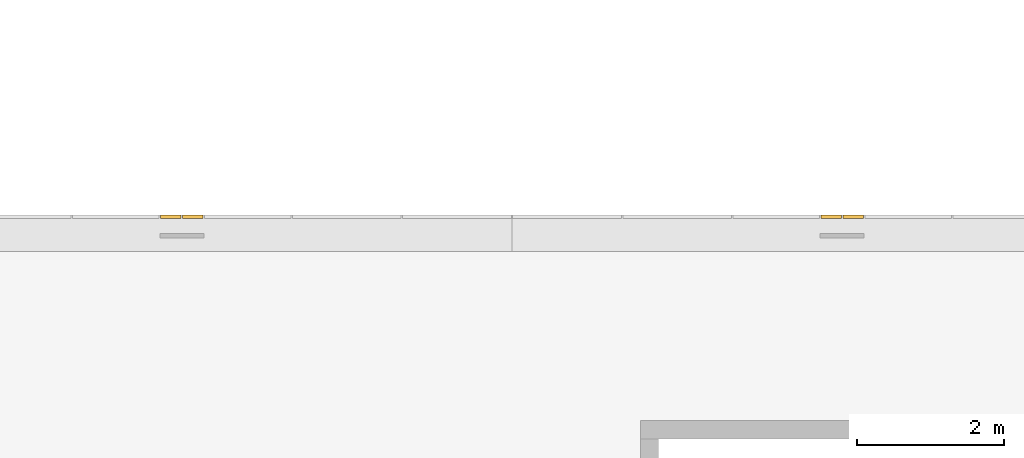
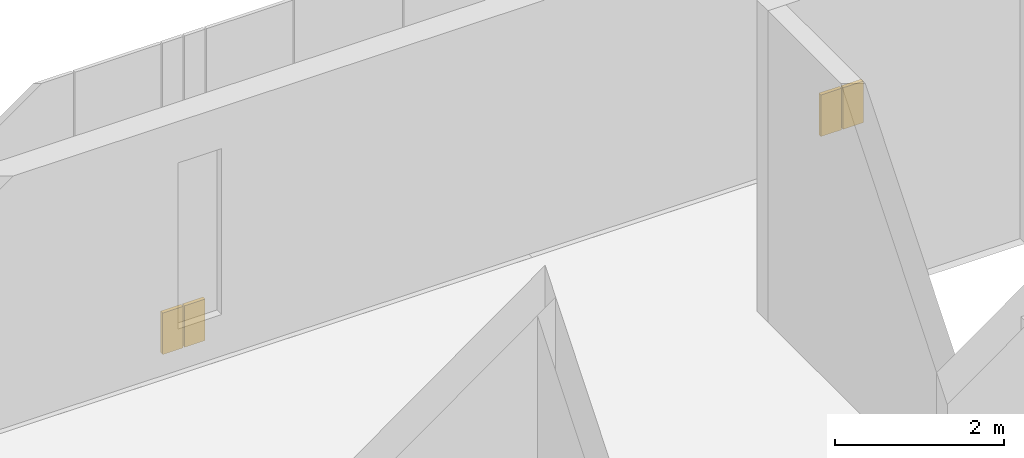
# One storey, part 105 of 106: 4 coverings.
"""IFC4 building model written with IfcOpenShell, lengths in metres."""

from ifc_helpers import new_model, si_unit, direction, frame, origin, origin_2d, place, context, subcontext, project, spatial, rectangle, extrude, material, layer, layer_set, type_object, element, save


model = new_model("IFC4")

# Units and contexts
model_context = context("Model", 3, precision=1e-05, world=origin(), true_north=direction((0.0, 1.0)))
body_context = subcontext(model_context, "Body", "Model", "MODEL_VIEW")
ifc_project = project(units=[si_unit("LENGTHUNIT", "METRE"), si_unit("AREAUNIT", "SQUARE_METRE"), si_unit("VOLUMEUNIT", "CUBIC_METRE"), si_unit("PLANEANGLEUNIT", "RADIAN"), si_unit("MASSUNIT", "GRAM", prefix="KILO")], contexts=[model_context])

# Site, building, storey
site_placement = place(None, origin())
site = spatial("IfcSite", under=ifc_project, at=site_placement, CompositionType="ELEMENT")
building_placement = place(site_placement, origin())
building = spatial("IfcBuilding", under=site, at=building_placement, Name="Guidao Yard Department Store", CompositionType="ELEMENT")
storey_placement = place(building_placement, frame((0.0, 0.0, 10.5)))
storey = spatial("IfcBuildingStorey", under=building, at=storey_placement, Name="L02", CompositionType="ELEMENT", Elevation=10.5)

# Coverings
ifc_material = material(Name="Anodised aluminium 6063-T5 cladding", Category="aluminium")
ifc_layer = layer(ifc_material, 0.050048828125)
ifc_layer_set = layer_set([ifc_layer], Name="Facade cladding CP1 anodised aluminium panel 6063")
covering_type = type_object("IfcCoveringType", Name="Facade cladding CP1 anodised aluminium panel 6063", PredefinedType="CLADDING", material=ifc_layer_set)
for number, where, z_axis, x_axis, name in (
    (1, (148.35009765625, 27.22509765625, 0.0), (0.0, 0.0, 1.0), (1.0, 0.0, 0.0), "Core face cladding"),
    (2, (148.64990234375, 27.22509765625, 0.0), (0.0, 0.0, 1.0), (1.0, 0.0, 0.0), "Core face cladding"),
    (3, (157.35009765625, 27.22509765625, 0.0), (0.0, 0.0, 1.0), (1.0, 0.0, 0.0), "Core face cladding"),
    (4, (157.64990234375, 27.22509765625, 0.0), (0.0, 0.0, 1.0), (1.0, 0.0, 0.0), "Core face cladding"),
):
    element("IfcCovering", number, at=place(storey_placement, frame(where, z_axis=z_axis, x_axis=x_axis)), inside=storey, type_object=covering_type, Name=name, PredefinedType="CLADDING", context=body_context, shape_type="SweptSolid", body=[
        extrude(rectangle(XDim=0.280029296875, YDim=0.050048828125, at=origin_2d()), origin(), (0.0, 0.0, 1.0), 0.60009765625),
    ])

save(model, "model.ifc")
